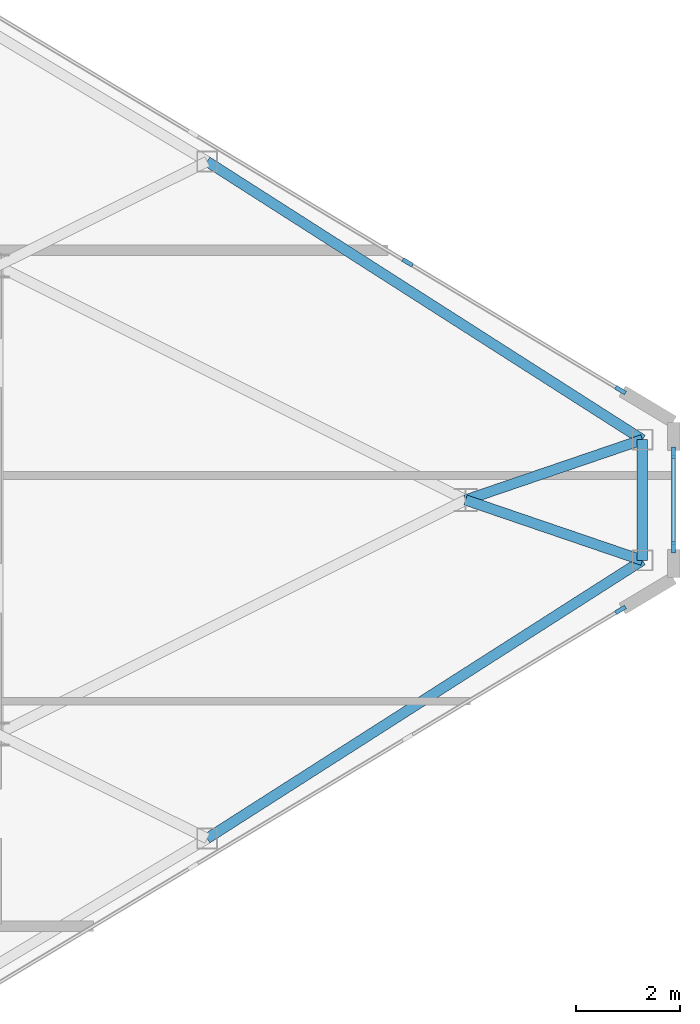
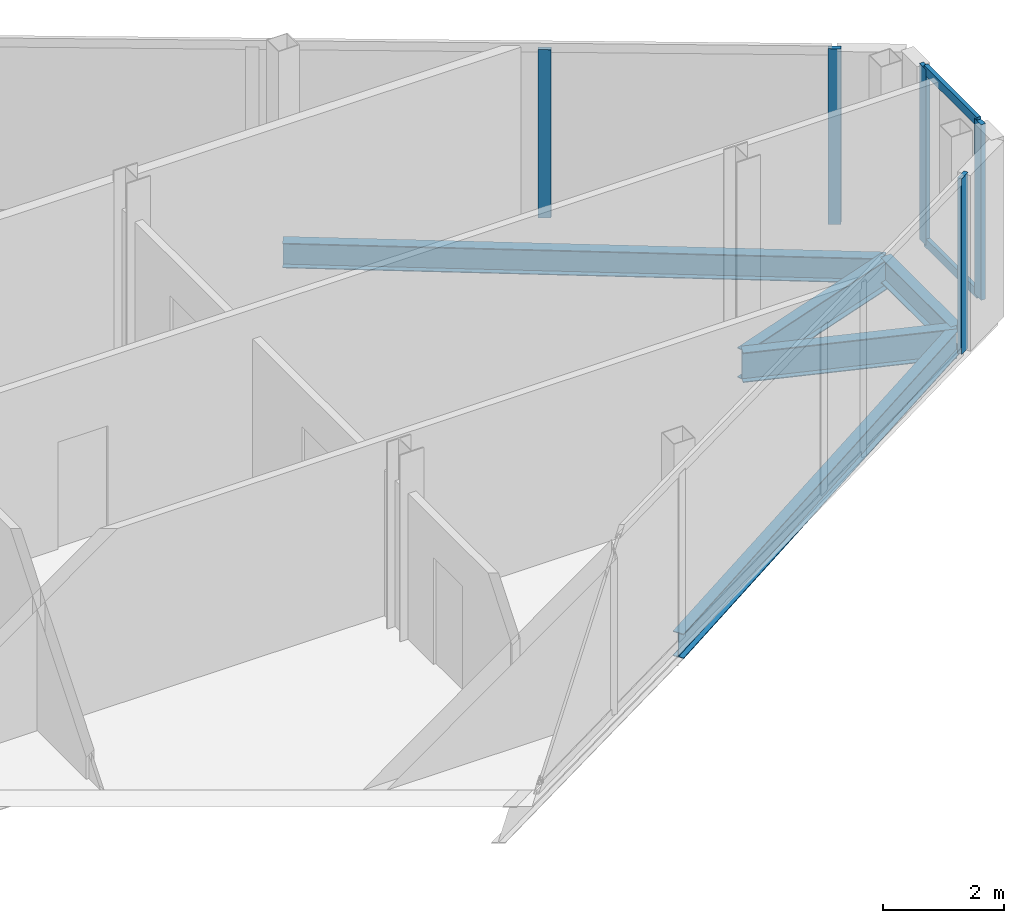
# One storey, part 18 of 29: 7 members, 5 beams, 3 elements without a shape of their own.
"""IFC4 building model written with IfcOpenShell, lengths in metres."""

from ifc_helpers import new_model, si_unit, direction, frame, origin, origin_2d, place, context, subcontext, project, spatial, rectangle, i_section, extrude, source, transform, mapped, material, layer, layer_set, material_profile, profile_set, type_object, type_shapes, element, aggregate, save


model = new_model("IFC4")

# Units and contexts
model_context = context("Model", 3, precision=1e-05, world=origin(), true_north=direction((0.0, 1.0)))
body_context = subcontext(model_context, "Body", "Model", "MODEL_VIEW")
ifc_project = project(units=[si_unit("LENGTHUNIT", "METRE"), si_unit("AREAUNIT", "SQUARE_METRE"), si_unit("VOLUMEUNIT", "CUBIC_METRE"), si_unit("PLANEANGLEUNIT", "RADIAN"), si_unit("MASSUNIT", "GRAM", prefix="KILO")], contexts=[model_context])

# Site, building, storey
site_placement = place(None, origin())
site = spatial("IfcSite", under=ifc_project, at=site_placement, CompositionType="ELEMENT")
building_placement = place(site_placement, origin())
building = spatial("IfcBuilding", under=site, at=building_placement, Name="Seokmaru Belvedere", CompositionType="ELEMENT")
storey_placement = place(building_placement, frame((0.0, 0.0, 250.64990234375)))
storey = spatial("IfcBuildingStorey", under=building, at=storey_placement, Name="L66", CompositionType="ELEMENT", Elevation=250.64990234375)

# Beams
ifc_material_1 = material(Name="Steel SM355 (355 MPa)", Category="steel")
ifc_material_profile_1 = material_profile(ifc_material_1, i_section(OverallWidth=0.199951171875, OverallDepth=0.5, WebThickness=0.010009765625, FlangeThickness=0.01611328125, at=origin_2d()), Name="H-500x200x10x16")
ifc_profile_set_1 = profile_set([ifc_material_profile_1], Name="Steel SM355 (355 MPa)")
beam_type_1 = type_object("IfcBeamType", Name="Perimeter Spandrel Beam H-500", PredefinedType="SPANDREL", material=ifc_profile_set_1)
shared_shape_1 = source(origin(), body_context, "Body", "SweptSolid", [
    extrude(i_section(OverallWidth=0.199951171875, OverallDepth=0.5, WebThickness=0.010009765625, FlangeThickness=0.01611328125, at=origin_2d()), origin(), (0.0, 0.0, 1.0), 9.932861328125),
])
for number, where, z_axis, x_axis, name in (
    (1, (58.530029296875, -6.5087890625, -0.469970703125), (0.842651960357, 0.538458609093, 0.0), (-0.538458609093, 0.842651960357, 0.0), "L66 E Faceted Flank Spandrel S-4"),
    (2, (58.530029296875, 6.5087890625, -0.469970703125), (0.842651960357, -0.538458609093, 0.0), (0.538458609093, 0.842651960357, 0.0), "L66 E Faceted Flank Spandrel N-4"),
):
    element("IfcBeam", number, at=place(storey_placement, frame(where, z_axis=z_axis, x_axis=x_axis)), inside=storey, type_object=beam_type_1, Name=name, PredefinedType="SPANDREL", context=body_context, shape_type="MappedRepresentation", body=[
        mapped(shared_shape_1, transform((0.0, 0.0, 0.0), scale=1.0)),
    ])
shared_shape_2 = source(origin(), body_context, "Body", "SweptSolid", [
    extrude(i_section(OverallWidth=0.199951171875, OverallDepth=0.5, WebThickness=0.010009765625, FlangeThickness=0.01611328125, at=origin_2d()), origin(), (0.0, 0.0, 1.0), 2.32080078125),
])
type_shapes(beam_type_1, [shared_shape_1, shared_shape_2])
beam_placement = place(storey_placement, frame((66.89990234375, -1.160400390625, -0.469970703125), z_axis=(0.0, 1.0, 0.0), x_axis=(-1.0, 0.0, 0.0)))
element("IfcBeam", 3, at=beam_placement, inside=storey, type_object=beam_type_1, Name="L66 E Faceted Apex Spandrel", PredefinedType="SPANDREL", context=body_context, shape_type="MappedRepresentation", body=[
    mapped(shared_shape_2, transform((0.0, 0.0, 0.0), scale=1.0)),
])
ifc_material_profile_2 = material_profile(ifc_material_1, i_section(OverallWidth=0.199951171875, OverallDepth=0.60009765625, WebThickness=0.010986328125, FlangeThickness=0.01708984375, at=origin_2d()), Name="H-600x200x11x17")
ifc_profile_set_2 = profile_set([ifc_material_profile_2], Name="Steel SM355 (355 MPa)")
beam_type_2 = type_object("IfcBeamType", Name="Primary Floor Girder H-600", PredefinedType="BEAM", material=ifc_profile_set_2)
shared_shape_3 = source(origin(), body_context, "Body", "SweptSolid", [
    extrude(i_section(OverallWidth=0.199951171875, OverallDepth=0.60009765625, WebThickness=0.010986328125, FlangeThickness=0.01708984375, at=origin_2d()), origin(), (0.0, 0.0, 1.0), 3.592529296875),
])
type_shapes(beam_type_2, [shared_shape_3])
for number, where, z_axis, x_axis, name in (
    (4, (66.89990234375, -1.160400390625, -0.52001953125), (-0.946395973048, 0.323008764893, 0.0), (-0.323008764893, -0.946395973048, 0.0), "L66 E Apex Radial Floor Girder 1"),
    (5, (66.89990234375, 1.160400390625, -0.52001953125), (-0.946395973048, -0.323008764893, 0.0), (0.323008764893, -0.946395973048, 0.0), "L66 E Apex Radial Floor Girder 2"),
):
    element("IfcBeam", number, at=place(storey_placement, frame(where, z_axis=z_axis, x_axis=x_axis)), inside=storey, type_object=beam_type_2, Name=name, PredefinedType="BEAM", context=body_context, shape_type="MappedRepresentation", body=[
        mapped(shared_shape_3, transform((0.0, 0.0, 0.0), scale=1.0)),
    ])

# Curtain wall, members
ifc_material_2 = material(Name="Bronze Triple Insulating Glass", Category="glass")
ifc_layer = layer(ifc_material_2, 0.219970703125)
ifc_layer_set = layer_set([ifc_layer], Name="Bronze Triple Insulating Glass")
curtain_wall_type = type_object("IfcCurtainWallType", Name="Sky-Gate Bridge Panorama Curtain Wall System CW-6", PredefinedType="NOTDEFINED", material=ifc_layer_set)
curtain_wall_1_placement = place(storey_placement, origin())
curtain_wall_1 = element("IfcCurtainWall", 6, at=curtain_wall_1_placement, inside=storey, type_object=curtain_wall_type, Name="L66 Curtain Wall EF2", PredefinedType="NOTDEFINED")
ifc_material_3 = material(Name="Anodised Bronze Aluminium", Category="aluminium")
ifc_material_profile_3 = material_profile(ifc_material_3, rectangle(XDim=0.074951171875, YDim=0.179931640625, at=origin_2d()), Name="CW-T-75x180")
ifc_profile_set_3 = profile_set([ifc_material_profile_3], Name="Anodised Bronze Aluminium")
member_type_1 = type_object("IfcMemberType", Name="Bronze Unitised Transom 75x180", PredefinedType="USERDEFINED", material=ifc_profile_set_3)
shared_shape_4 = source(origin(), body_context, "Body", "SweptSolid", [
    extrude(rectangle(XDim=0.074951171875, YDim=0.179931640625, at=origin_2d()), origin(), (0.0, 0.0, 1.0), 1.740234375),
])
type_shapes(member_type_1, [shared_shape_4])
member_1_placement = place(storey_placement, frame((67.5, -0.8701171875, 0.03759765625), z_axis=(0.0, 1.0, 0.0), x_axis=(-1.0, 0.0, 0.0)))
member_1 = element("IfcMember", 7, at=member_1_placement, type_object=member_type_1, Name="CW:L66:EF2 Continuous Transom 1", ObjectType="TRANSOM", PredefinedType="USERDEFINED", context=body_context, shape_type="MappedRepresentation", body=[
    mapped(shared_shape_4, transform((0.0, 0.0, 0.0), scale=1.0)),
])
member_2_placement = place(storey_placement, frame((67.5, -0.8701171875, 3.49267578125), z_axis=(0.0, 1.0, 0.0), x_axis=(-1.0, 0.0, 0.0)))
member_2 = element("IfcMember", 8, at=member_2_placement, type_object=member_type_1, Name="CW:L66:EF2 Continuous Transom 2", ObjectType="TRANSOM", PredefinedType="USERDEFINED", context=body_context, shape_type="MappedRepresentation", body=[
    mapped(shared_shape_4, transform((0.0, 0.0, 0.0), scale=1.0)),
])

# Curtain wall, member
curtain_wall_2_placement = place(storey_placement, origin())
curtain_wall_2 = element("IfcCurtainWall", 9, at=curtain_wall_2_placement, inside=storey, type_object=curtain_wall_type, Name="L66 Curtain Wall EF1", PredefinedType="NOTDEFINED")
ifc_material_profile_4 = material_profile(ifc_material_3, rectangle(XDim=0.080078125, YDim=0.219970703125, at=origin_2d()), Name="CW-M-80x220")
ifc_profile_set_4 = profile_set([ifc_material_profile_4], Name="Anodised Bronze Aluminium")
member_type_2 = type_object("IfcMemberType", Name="Bronze Unitised Mullion 80x220", PredefinedType="MULLION", material=ifc_profile_set_4)
shared_shape_5 = source(origin(), body_context, "Body", "SweptSolid", [
    extrude(rectangle(XDim=0.080078125, YDim=0.219970703125, at=origin_2d()), origin(), (0.0, 0.0, 1.0), 3.530029296875),
])
member_3_placement = place(storey_placement, frame((66.4794921875, -2.1123046875, 0.0), z_axis=(0.0, 0.0, 1.0), x_axis=(-0.514494909364, 0.85749343335, 0.0)))
member_3 = element("IfcMember", 10, at=member_3_placement, type_object=member_type_2, Name="CW:L66:EF1 Mullion 9", PredefinedType="MULLION", context=body_context, shape_type="MappedRepresentation", body=[
    mapped(shared_shape_5, transform((0.0, 0.0, 0.0), scale=1.0)),
])
aggregate(curtain_wall_2, [member_3])

# Member
member_4_placement = place(storey_placement, frame((67.5, -0.909912109375, 0.0), z_axis=(0.0, 0.0, 1.0), x_axis=(-1.0, 0.0, 0.0)))
member_4 = element("IfcMember", 11, at=member_4_placement, type_object=member_type_2, Name="CW:L66:EF2 Mullion 1", PredefinedType="MULLION", context=body_context, shape_type="MappedRepresentation", body=[
    mapped(shared_shape_5, transform((0.0, 0.0, 0.0), scale=1.0)),
])

member_5_placement = place(storey_placement, frame((67.5, 0.909912109375, 0.0), z_axis=(0.0, 0.0, 1.0), x_axis=(-1.0, 0.0, 0.0)))
member_5 = element("IfcMember", 12, at=member_5_placement, type_object=member_type_2, Name="CW:L66:EF2 Mullion 2", PredefinedType="MULLION", context=body_context, shape_type="MappedRepresentation", body=[
    mapped(shared_shape_5, transform((0.0, 0.0, 0.0), scale=1.0)),
])

aggregate(curtain_wall_1, [member_4, member_5, member_1, member_2])

# Curtain wall, members
curtain_wall_3_placement = place(storey_placement, origin())
curtain_wall_3 = element("IfcCurtainWall", 13, at=curtain_wall_3_placement, inside=storey, type_object=curtain_wall_type, Name="L66 Curtain Wall EF3", PredefinedType="NOTDEFINED")
member_6_placement = place(storey_placement, frame((66.4794921875, 2.1123046875, 0.0), z_axis=(0.0, 0.0, 1.0), x_axis=(-0.514494909364, -0.85749343335, 0.0)))
member_6 = element("IfcMember", 14, at=member_6_placement, type_object=member_type_2, Name="CW:L66:EF3 Mullion 1", PredefinedType="MULLION", context=body_context, shape_type="MappedRepresentation", body=[
    mapped(shared_shape_5, transform((0.0, 0.0, 0.0), scale=1.0)),
])
shared_shape_6 = source(origin(), body_context, "Body", "SweptSolid", [
    extrude(rectangle(XDim=0.080078125, YDim=0.219970703125, at=origin_2d()), origin(), (0.0, 0.0, 1.0), 3.3798828125),
])
type_shapes(member_type_2, [shared_shape_5, shared_shape_6])
member_7_placement = place(storey_placement, frame((62.385498046875, 4.56884765625, 0.0751953125), z_axis=(0.0, 0.0, 1.0), x_axis=(-0.514494909364, -0.85749343335, 0.0)))
member_7 = element("IfcMember", 15, at=member_7_placement, type_object=member_type_2, Name="CW:L66:EF3 Mullion 2", PredefinedType="MULLION", context=body_context, shape_type="MappedRepresentation", body=[
    mapped(shared_shape_6, transform((0.0, 0.0, 0.0), scale=1.0)),
])
aggregate(curtain_wall_3, [member_6, member_7])

save(model, "model.ifc")
